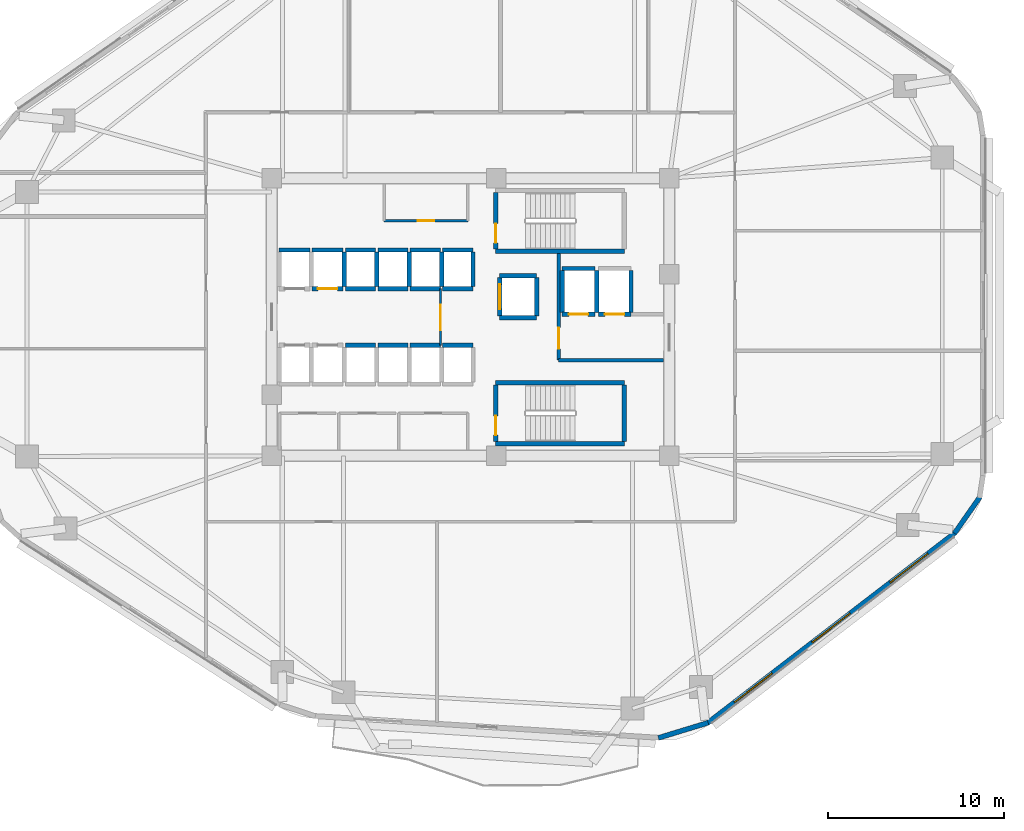
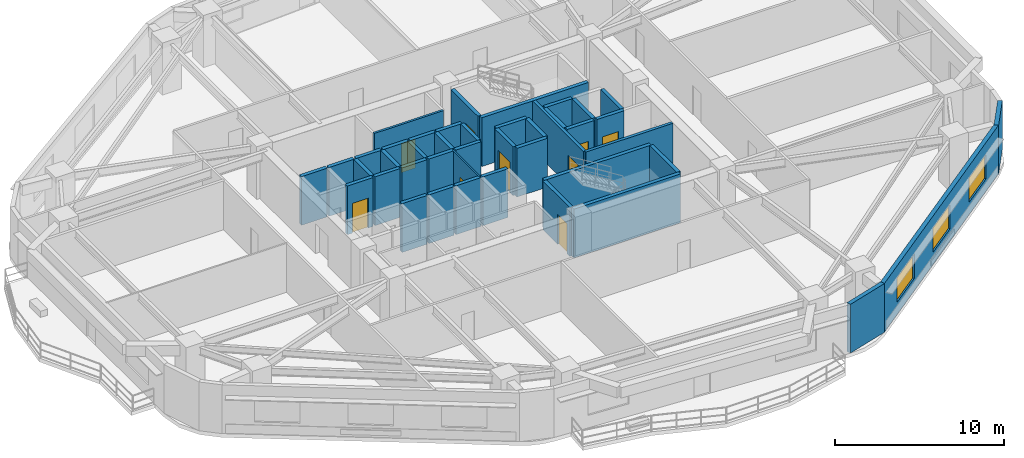
# One storey, part 4 of 9: 43 walls, 9 doors, 3 windows, 12 openings.
"""IFC4 building model written with IfcOpenShell, lengths in metres."""

from ifc_helpers import new_model, si_unit, direction, frame, frame_2d, origin, place, context, subcontext, project, spatial, rectangle, extrude, material, layer, layer_set, type_object, element, fill, save


model = new_model("IFC4")

# Units and contexts
model_context = context("Model", 3, precision=1e-05, world=origin(), true_north=direction((0.0, 1.0)))
body_context = subcontext(model_context, "Body", "Model", "MODEL_VIEW")
ifc_project = project(units=[si_unit("LENGTHUNIT", "METRE"), si_unit("AREAUNIT", "SQUARE_METRE"), si_unit("VOLUMEUNIT", "CUBIC_METRE"), si_unit("PLANEANGLEUNIT", "RADIAN"), si_unit("MASSUNIT", "GRAM", prefix="KILO")], contexts=[model_context])

# Site, building, storey
site_placement = place(None, origin())
site = spatial("IfcSite", under=ifc_project, at=site_placement, CompositionType="ELEMENT")
building_placement = place(site_placement, origin())
building = spatial("IfcBuilding", under=site, at=building_placement, Name="Zulverin Broadcast Headquarters", CompositionType="ELEMENT")
storey_placement = place(building_placement, frame((0.0, 0.0, 51.60009765625)))
storey = spatial("IfcBuildingStorey", under=building, at=storey_placement, Name="L12", CompositionType="ELEMENT", Elevation=51.60009765625)

# Wall, openings, windows
ifc_material_1 = material(Name="Insulated pale-metal clad concrete spandrel C40/50", Category="concrete")
ifc_layer_1 = layer(ifc_material_1, 0.280029296875, Name="Insulated pale-metal clad concrete spandrel C40/50", Category="concrete")
ifc_layer_set_1 = layer_set([ifc_layer_1], Name="Insulated pale-metal clad concrete spandrel C40/50")
wall_type_1 = type_object("IfcWallType", Name="WL-EXT-280", PredefinedType="STANDARD", material=ifc_layer_set_1)
wall_1_placement = place(storey_placement, frame((50.4287109375, 2.171630859375, 0.0), z_axis=(0.0, 0.0, 1.0), x_axis=(0.792937466367, 0.609303023488, 0.0)))
wall_1 = element("IfcWall", 1, at=wall_1_placement, inside=storey, type_object=wall_type_1, Name="L12 Pale-Metal Clad Spandrel Wall 2", PredefinedType="STANDARD", context=body_context, shape_type="SweptSolid", body=[
    extrude(rectangle(XDim=17.712890625, YDim=0.280029296875, at=frame_2d((8.8564453125, 0.0))), origin(), (0.0, 0.0, 1.0), 3.52490234375),
])
opening_1_placement = place(wall_1_placement, frame((1.935546875, 0.0, 0.89990234375)))
opening_1 = element("IfcOpeningElement", 2, at=opening_1_placement, cuts=wall_1, Name="Opening W-L12-E21", PredefinedType="OPENING", context=body_context, shape_type="SweptSolid", body=[
    extrude(rectangle(XDim=2.699951171875, YDim=1.75, at=frame_2d((1.35009765625, 0.875))), frame((0.0, 0.14990234375, 0.0), z_axis=(0.0, -1.0, 0.0), x_axis=(1.0, 0.0, 0.0)), (0.0, 0.0, 1.0), 0.300048828125),
])
opening_2_placement = place(wall_1_placement, frame((7.50634765625, 0.0, 0.89990234375)))
opening_2 = element("IfcOpeningElement", 3, at=opening_2_placement, cuts=wall_1, Name="Opening W-L12-E22", PredefinedType="OPENING", context=body_context, shape_type="SweptSolid", body=[
    extrude(rectangle(XDim=2.699951171875, YDim=1.75, at=frame_2d((1.35009765625, 0.875))), frame((0.0, 0.14990234375, 0.0), z_axis=(0.0, -1.0, 0.0), x_axis=(1.0, 0.0, 0.0)), (0.0, 0.0, 1.0), 0.300048828125),
])
opening_3_placement = place(wall_1_placement, frame((13.077392578125, 0.0, 0.89990234375)))
opening_3 = element("IfcOpeningElement", 4, at=opening_3_placement, cuts=wall_1, Name="Opening W-L12-E23", PredefinedType="OPENING", context=body_context, shape_type="SweptSolid", body=[
    extrude(rectangle(XDim=2.699951171875, YDim=1.75, at=frame_2d((1.35009765625, 0.875))), frame((0.0, 0.14990234375, 0.0), z_axis=(0.0, -1.0, 0.0), x_axis=(1.0, 0.0, 0.0)), (0.0, 0.0, 1.0), 0.300048828125),
])
ifc_material_2 = material(Name="Pale anodized aluminium frame with solar-control low-E double glazing", Category="aluminium")
window_type = type_object("IfcWindowType", Name="WIN-TWR-2700", PartitioningType="SINGLE_PANEL", PredefinedType="WINDOW", material=ifc_material_2)
window_1_placement = place(opening_1_placement, origin())
window_1 = element("IfcWindow", 5, at=window_1_placement, inside=storey, type_object=window_type, Name="L12 Ribbon Glazing Window 2 1", OverallHeight=1.75, OverallWidth=2.699951171875, PartitioningType="SINGLE_PANEL", PredefinedType="WINDOW", context=body_context, shape_type="SweptSolid", body=[
    extrude(rectangle(XDim=2.699951171875, YDim=1.75, at=frame_2d((1.35009765625, 0.875))), frame((0.0, 0.030029296875, 0.0), z_axis=(0.0, -1.0, 0.0), x_axis=(1.0, 0.0, 0.0)), (0.0, 0.0, 1.0), 0.06005859375),
])
fill(opening_1, window_1)
window_2_placement = place(opening_2_placement, origin())
window_2 = element("IfcWindow", 6, at=window_2_placement, inside=storey, type_object=window_type, Name="L12 Ribbon Glazing Window 2 2", OverallHeight=1.75, OverallWidth=2.699951171875, PartitioningType="SINGLE_PANEL", PredefinedType="WINDOW", context=body_context, shape_type="SweptSolid", body=[
    extrude(rectangle(XDim=2.699951171875, YDim=1.75, at=frame_2d((1.35009765625, 0.875))), frame((0.0, 0.030029296875, 0.0), z_axis=(0.0, -1.0, 0.0), x_axis=(1.0, 0.0, 0.0)), (0.0, 0.0, 1.0), 0.06005859375),
])
fill(opening_2, window_2)
window_3_placement = place(opening_3_placement, origin())
window_3 = element("IfcWindow", 7, at=window_3_placement, inside=storey, type_object=window_type, Name="L12 Ribbon Glazing Window 2 3", OverallHeight=1.75, OverallWidth=2.699951171875, PartitioningType="SINGLE_PANEL", PredefinedType="WINDOW", context=body_context, shape_type="SweptSolid", body=[
    extrude(rectangle(XDim=2.699951171875, YDim=1.75, at=frame_2d((1.35009765625, 0.875))), frame((0.0, 0.030029296875, 0.0), z_axis=(0.0, -1.0, 0.0), x_axis=(1.0, 0.0, 0.0)), (0.0, 0.0, 1.0), 0.06005859375),
])
fill(opening_3, window_3)

# Walls
wall_2_placement = place(storey_placement, frame((47.649658203125, 1.3330078125, 0.0), z_axis=(0.0, 0.0, 1.0), x_axis=(0.956461287977, 0.291859220516, 0.0)))
element("IfcWall", 8, at=wall_2_placement, inside=storey, type_object=wall_type_1, Name="L12 Wind-Shaped Corner Spandrel Wall 1-1", PredefinedType="STANDARD", context=body_context, shape_type="SweptSolid", body=[
    extrude(rectangle(XDim=2.951904296875, YDim=0.280029296875, at=frame_2d((1.47607421875, 0.0))), origin(), (0.0, 0.0, 1.0), 3.52490234375),
])
wall_3_placement = place(storey_placement, frame((64.4443359375, 12.933349609375, 0.0), z_axis=(0.0, 0.0, 1.0), x_axis=(0.573176686443, 0.819431806875, 0.0)))
element("IfcWall", 9, at=wall_3_placement, inside=storey, type_object=wall_type_1, Name="L12 Wind-Shaped Corner Spandrel Wall 2-1", PredefinedType="STANDARD", context=body_context, shape_type="SweptSolid", body=[
    extrude(rectangle(XDim=2.524169921875, YDim=0.280029296875, at=frame_2d((1.26220703125, 0.0))), origin(), (0.0, 0.0, 1.0), 3.52490234375),
])

# Wall, opening, door
ifc_material_3 = material(Name="Concrete C40/50", Category="concrete")
ifc_layer_2 = layer(ifc_material_3, 0.199951171875, Name="Concrete C40/50", Category="concrete")
ifc_layer_set_2 = layer_set([ifc_layer_2], Name="Concrete C40/50")
wall_type_2 = type_object("IfcWallType", Name="WL-FFL-200", PredefinedType="SOLIDWALL", material=ifc_layer_set_2)
wall_4_placement = place(storey_placement, frame((42.0, 22.75, 0.0), z_axis=(0.0, 0.0, 1.0), x_axis=(0.0, 1.0, 0.0)))
wall_4 = element("IfcWall", 10, at=wall_4_placement, inside=storey, type_object=wall_type_2, Name="L12 Firefighting Lift Lobby West Wall", PredefinedType="SOLIDWALL", context=body_context, shape_type="SweptSolid", body=[
    extrude(rectangle(XDim=6.050048828125, YDim=0.199951171875, at=frame_2d((3.02490234375, 0.0))), origin(), (0.0, 0.0, 1.0), 3.52490234375),
])
opening_4_placement = place(wall_4_placement, frame((0.64990234375, 0.0, 0.0)))
opening_4 = element("IfcOpeningElement", 11, at=opening_4_placement, cuts=wall_4, Name="Opening D-L12-FFLW", PredefinedType="OPENING", context=body_context, shape_type="SweptSolid", body=[
    extrude(rectangle(XDim=1.199951171875, YDim=2.14990234375, at=frame_2d((0.60009765625, 1.074951171875))), frame((0.0, 0.10986328125, 0.0), z_axis=(0.0, -1.0, 0.0), x_axis=(1.0, 0.0, 0.0)), (0.0, 0.0, 1.0), 0.219970703125),
])
ifc_material_4 = material(Name="Fire-rated steel leaf and frame", Category="steel")
door_type_1 = type_object("IfcDoorType", Name="DR-FFL-1200", OperationType="SINGLE_SWING_RIGHT", PredefinedType="DOOR", material=ifc_material_4)
door_1_placement = place(opening_4_placement, origin())
door_1 = element("IfcDoor", 12, at=door_1_placement, inside=storey, type_object=door_type_1, Name="L12 Firefighting Lift Lobby Door", OperationType="SINGLE_SWING_RIGHT", OverallHeight=2.14990234375, OverallWidth=1.199951171875, PredefinedType="DOOR", context=body_context, shape_type="SweptSolid", body=[
    extrude(rectangle(XDim=1.199951171875, YDim=2.14990234375, at=frame_2d((0.60009765625, 1.074951171875))), frame((0.0, 0.02490234375, 0.0), z_axis=(0.0, -1.0, 0.0), x_axis=(1.0, 0.0, 0.0)), (0.0, 0.0, 1.0), 0.050048828125),
])
fill(opening_4, door_1)

# Wall
wall_5_placement = place(storey_placement, frame((42.0, 22.75, 0.0), z_axis=(0.0, 0.0, 1.0), x_axis=(1.0, 0.0, 0.0)))
element("IfcWall", 13, at=wall_5_placement, inside=storey, type_object=wall_type_2, Name="L12 Firefighting Lift Lobby South Wall", PredefinedType="SOLIDWALL", context=body_context, shape_type="SweptSolid", body=[
    extrude(rectangle(XDim=5.949951171875, YDim=0.199951171875, at=frame_2d((2.97509765625, 0.0))), origin(), (0.0, 0.0, 1.0), 3.52490234375),
])

# Wall, opening, door
ifc_material_5 = material(Name="Fire-rated acoustic laminated glass screen", Category="glass")
ifc_layer_3 = layer(ifc_material_5, 0.10009765625, Name="Fire-rated acoustic laminated glass screen", Category="glass")
ifc_layer_set_3 = layer_set([ifc_layer_3], Name="Fire-rated acoustic laminated glass screen")
wall_type_3 = type_object("IfcWallType", Name="WL-GLAZ-100", PredefinedType="PARTITIONING", material=ifc_layer_set_3)
wall_6_placement = place(storey_placement, frame((35.300048828125, 23.60009765625, 0.0), z_axis=(0.0, 0.0, 1.0), x_axis=(0.0, 1.0, 0.0)))
wall_6 = element("IfcWall", 14, at=wall_6_placement, inside=storey, type_object=wall_type_3, Name="L12 Central Core Smoke Vestibule Screen", PredefinedType="PARTITIONING", context=body_context, shape_type="SweptSolid", body=[
    extrude(rectangle(XDim=3.199951171875, YDim=0.10009765625, at=frame_2d((1.60009765625, 0.0))), origin(), (0.0, 0.0, 1.0), 3.52490234375),
])
opening_5_placement = place(wall_6_placement, frame((0.85009765625, 0.0, 0.0)))
opening_5 = element("IfcOpeningElement", 15, at=opening_5_placement, cuts=wall_6, Name="Opening D-L12-CL2", PredefinedType="OPENING", context=body_context, shape_type="SweptSolid", body=[
    extrude(rectangle(XDim=1.449951171875, YDim=2.1201171875, at=frame_2d((0.72509765625, 1.06005859375))), frame((0.0, 0.06005859375, 0.0), z_axis=(0.0, -1.0, 0.0), x_axis=(1.0, 0.0, 0.0)), (0.0, 0.0, 1.0), 0.1201171875),
])
ifc_material_6 = material(Name="Fire-rated acoustic glazed double leaf", Category="glass")
door_type_2 = type_object("IfcDoorType", Name="DR-GLZ-1450", OperationType="DOUBLE_DOOR_SINGLE_SWING", PredefinedType="DOOR", material=ifc_material_6)
door_2_placement = place(opening_5_placement, origin())
door_2 = element("IfcDoor", 16, at=door_2_placement, inside=storey, type_object=door_type_2, Name="L12 Central Core Smoke Vestibule Door", OperationType="DOUBLE_DOOR_SINGLE_SWING", OverallHeight=2.1201171875, OverallWidth=1.449951171875, PredefinedType="DOOR", context=body_context, shape_type="SweptSolid", body=[
    extrude(rectangle(XDim=1.449951171875, YDim=2.1201171875, at=frame_2d((0.72509765625, 1.06005859375))), frame((0.0, 0.02490234375, 0.0), z_axis=(0.0, -1.0, 0.0), x_axis=(1.0, 0.0, 0.0)), (0.0, 0.0, 1.0), 0.050048828125),
])
fill(opening_5, door_2)

ifc_material_7 = material(Name="Fire-rated gypsum stud partition", Category="gypsum")
ifc_layer_4 = layer(ifc_material_7, 0.14990234375, Name="Fire-rated gypsum stud partition", Category="gypsum")
ifc_layer_set_4 = layer_set([ifc_layer_4], Name="Fire-rated gypsum stud partition")
wall_type_4 = type_object("IfcWallType", Name="WL-PART-150", PredefinedType="PARTITIONING", material=ifc_layer_set_4)
wall_7_placement = place(storey_placement, frame((32.10009765625, 30.64990234375, 0.0), z_axis=(0.0, 0.0, 1.0), x_axis=(1.0, 0.0, 0.0)))
wall_7 = element("IfcWall", 17, at=wall_7_placement, inside=storey, type_object=wall_type_4, Name="L12 Core Accessible WC & Electrical Riser Front Wall", PredefinedType="PARTITIONING", context=body_context, shape_type="SweptSolid", body=[
    extrude(rectangle(XDim=4.75, YDim=0.14990234375, at=frame_2d((2.375, 0.0))), origin(), (0.0, 0.0, 1.0), 3.52490234375),
])
opening_6_placement = place(wall_7_placement, frame((1.89990234375, 0.0, 0.0)))
opening_6 = element("IfcOpeningElement", 18, at=opening_6_placement, cuts=wall_7, Name="Opening D-L12-NC1", PredefinedType="OPENING", context=body_context, shape_type="SweptSolid", body=[
    extrude(rectangle(XDim=0.949951171875, YDim=2.10009765625, at=frame_2d((0.47509765625, 1.050048828125))), frame((0.0, 0.0849609375, 0.0), z_axis=(0.0, -1.0, 0.0), x_axis=(1.0, 0.0, 0.0)), (0.0, 0.0, 1.0), 0.169921875),
])
ifc_material_8 = material(Name="Fire-rated moisture-resistant laminate leaf", Category="wood")
door_type_3 = type_object("IfcDoorType", Name="DR-WC-950", OperationType="SINGLE_SWING_LEFT", PredefinedType="DOOR", material=ifc_material_8)
door_3_placement = place(opening_6_placement, origin())
door_3 = element("IfcDoor", 19, at=door_3_placement, inside=storey, type_object=door_type_3, Name="L12 Accessible WC & Electrical Riser Door", OperationType="SINGLE_SWING_LEFT", OverallHeight=2.10009765625, OverallWidth=0.949951171875, PredefinedType="DOOR", context=body_context, shape_type="SweptSolid", body=[
    extrude(rectangle(XDim=0.949951171875, YDim=2.10009765625, at=frame_2d((0.47509765625, 1.050048828125))), frame((0.0, 0.02490234375, 0.0), z_axis=(0.0, -1.0, 0.0), x_axis=(1.0, 0.0, 0.0)), (0.0, 0.0, 1.0), 0.050048828125),
])
fill(opening_6, door_3)

# Wall
ifc_material_9 = material(Name="Concrete C50/60", Category="concrete")
ifc_layer_5 = layer(ifc_material_9, 0.25, Name="Concrete C50/60", Category="concrete")
ifc_layer_set_5 = layer_set([ifc_layer_5], Name="Concrete C50/60")
wall_type_5 = type_object("IfcWallType", Name="WL-SHAFT-250", PredefinedType="SHEAR", material=ifc_layer_set_5)
wall_8_placement = place(storey_placement, frame((38.425048828125, 28.925048828125, 0.0), z_axis=(0.0, 0.0, 1.0), x_axis=(1.0, 0.0, 0.0)))
element("IfcWall", 20, at=wall_8_placement, inside=storey, type_object=wall_type_5, Name="L12 ST-1 Enclosure Wall S", PredefinedType="SHEAR", context=body_context, shape_type="SweptSolid", body=[
    extrude(rectangle(XDim=7.300048828125, YDim=0.25, at=frame_2d((3.64990234375, 0.0))), origin(), (0.0, 0.0, 1.0), 3.52490234375),
])

# Wall, opening, door
wall_9_placement = place(storey_placement, frame((38.425048828125, 29.050048828125, 0.0), z_axis=(0.0, 0.0, 1.0), x_axis=(0.0, 1.0, 0.0)))
wall_9 = element("IfcWall", 21, at=wall_9_placement, inside=storey, type_object=wall_type_5, Name="L12 ST-1 Enclosure Wall W", PredefinedType="SHEAR", context=body_context, shape_type="SweptSolid", body=[
    extrude(rectangle(XDim=3.199951171875, YDim=0.25, at=frame_2d((1.60009765625, 0.0))), origin(), (0.0, 0.0, 1.0), 3.52490234375),
])
opening_7_placement = place(wall_9_placement, frame((0.35009765625, 0.0, 0.0)))
opening_7 = element("IfcOpeningElement", 22, at=opening_7_placement, cuts=wall_9, Name="Opening D-L12-ST-1", PredefinedType="OPENING", context=body_context, shape_type="SweptSolid", body=[
    extrude(rectangle(XDim=1.10009765625, YDim=2.14990234375, at=frame_2d((0.550048828125, 1.074951171875))), frame((0.0, 0.135009765625, 0.0), z_axis=(0.0, -1.0, 0.0), x_axis=(1.0, 0.0, 0.0)), (0.0, 0.0, 1.0), 0.27001953125),
])
door_type_4 = type_object("IfcDoorType", Name="DR-STAIR-1100", OperationType="SINGLE_SWING_LEFT", PredefinedType="DOOR", material=ifc_material_4)
door_4_placement = place(opening_7_placement, origin())
door_4 = element("IfcDoor", 23, at=door_4_placement, inside=storey, type_object=door_type_4, Name="L12 Exit Stair ST-1 Fire Door", OperationType="SINGLE_SWING_LEFT", OverallHeight=2.14990234375, OverallWidth=1.10009765625, PredefinedType="DOOR", context=body_context, shape_type="SweptSolid", body=[
    extrude(rectangle(XDim=1.10009765625, YDim=2.14990234375, at=frame_2d((0.550048828125, 1.074951171875))), frame((0.0, 0.02490234375, 0.0), z_axis=(0.0, -1.0, 0.0), x_axis=(1.0, 0.0, 0.0)), (0.0, 0.0, 1.0), 0.050048828125),
])
fill(opening_7, door_4)

# Walls
for number, where, z_axis, x_axis, name in (
    (24, (38.425048828125, 18.02490234375, 0.0), (0.0, 0.0, 1.0), (1.0, 0.0, 0.0), "L12 ST-2 Enclosure Wall S"),
    (25, (38.425048828125, 21.47509765625, 0.0), (0.0, 0.0, 1.0), (1.0, 0.0, 0.0), "L12 ST-2 Enclosure Wall N"),
):
    element("IfcWall", number, at=place(storey_placement, frame(where, z_axis=z_axis, x_axis=x_axis)), inside=storey, type_object=wall_type_5, Name=name, PredefinedType="SHEAR", context=body_context, shape_type="SweptSolid", body=[
        extrude(rectangle(XDim=7.300048828125, YDim=0.25, at=frame_2d((3.64990234375, 0.0))), origin(), (0.0, 0.0, 1.0), 3.52490234375),
    ])

# Wall, opening, door
wall_10_placement = place(storey_placement, frame((38.425048828125, 18.14990234375, 0.0), z_axis=(0.0, 0.0, 1.0), x_axis=(0.0, 1.0, 0.0)))
wall_10 = element("IfcWall", 26, at=wall_10_placement, inside=storey, type_object=wall_type_5, Name="L12 ST-2 Enclosure Wall W", PredefinedType="SHEAR", context=body_context, shape_type="SweptSolid", body=[
    extrude(rectangle(XDim=3.2001953125, YDim=0.25, at=frame_2d((1.60009765625, 0.0))), origin(), (0.0, 0.0, 1.0), 3.52490234375),
])
opening_8_placement = place(wall_10_placement, frame((0.35009765625, 0.0, 0.0)))
opening_8 = element("IfcOpeningElement", 27, at=opening_8_placement, cuts=wall_10, Name="Opening D-L12-ST-2", PredefinedType="OPENING", context=body_context, shape_type="SweptSolid", body=[
    extrude(rectangle(XDim=1.10009765625, YDim=2.14990234375, at=frame_2d((0.550048828125, 1.074951171875))), frame((0.0, 0.135009765625, 0.0), z_axis=(0.0, -1.0, 0.0), x_axis=(1.0, 0.0, 0.0)), (0.0, 0.0, 1.0), 0.27001953125),
])
door_5_placement = place(opening_8_placement, origin())
door_5 = element("IfcDoor", 28, at=door_5_placement, inside=storey, type_object=door_type_4, Name="L12 Exit Stair ST-2 Fire Door", OperationType="SINGLE_SWING_RIGHT", OverallHeight=2.14990234375, OverallWidth=1.10009765625, PredefinedType="DOOR", context=body_context, shape_type="SweptSolid", body=[
    extrude(rectangle(XDim=1.10009765625, YDim=2.14990234375, at=frame_2d((0.550048828125, 1.074951171875))), frame((0.0, 0.02490234375, 0.0), z_axis=(0.0, -1.0, 0.0), x_axis=(1.0, 0.0, 0.0)), (0.0, 0.0, 1.0), 0.050048828125),
])
fill(opening_8, door_5)

# Walls
wall_11_placement = place(storey_placement, frame((45.72509765625, 18.14990234375, 0.0), z_axis=(0.0, 0.0, 1.0), x_axis=(0.0, 1.0, 0.0)))
element("IfcWall", 29, at=wall_11_placement, inside=storey, type_object=wall_type_5, Name="L12 ST-2 Enclosure Wall E", PredefinedType="SHEAR", context=body_context, shape_type="SweptSolid", body=[
    extrude(rectangle(XDim=3.2001953125, YDim=0.25, at=frame_2d((1.60009765625, 0.0))), origin(), (0.0, 0.0, 1.0), 3.52490234375),
])
wall_12_placement = place(storey_placement, frame((26.14990234375, 29.0, 0.0), z_axis=(0.0, 0.0, 1.0), x_axis=(1.0, 0.0, 0.0)))
element("IfcWall", 30, at=wall_12_placement, inside=storey, type_object=wall_type_5, Name="L12 Lift PL-L1 Shaft Wall N", PredefinedType="SHEAR", context=body_context, shape_type="SweptSolid", body=[
    extrude(rectangle(XDim=1.75, YDim=0.25, at=frame_2d((0.875, 0.0))), origin(), (0.0, 0.0, 1.0), 3.52490234375),
])

# Wall, opening, door
wall_13_placement = place(storey_placement, frame((28.02001953125, 26.800048828125, 0.0), z_axis=(0.0, 0.0, 1.0), x_axis=(1.0, 0.0, 0.0)))
wall_13 = element("IfcWall", 31, at=wall_13_placement, inside=storey, type_object=wall_type_5, Name="L12 Lift PL-L2 Shaft Wall S", PredefinedType="SHEAR", context=body_context, shape_type="SweptSolid", body=[
    extrude(rectangle(XDim=1.75, YDim=0.25, at=frame_2d((0.875, 0.0))), origin(), (0.0, 0.0, 1.0), 3.52490234375),
])
opening_9_placement = place(wall_13_placement, frame((0.324951171875, 0.0, 0.0)))
opening_9 = element("IfcOpeningElement", 32, at=opening_9_placement, cuts=wall_13, Name="Opening LD-PL-L2-L12", PredefinedType="OPENING", context=body_context, shape_type="SweptSolid", body=[
    extrude(rectangle(XDim=1.10009765625, YDim=2.14990234375, at=frame_2d((0.550048828125, 1.074951171875))), frame((0.0, 0.135009765625, 0.0), z_axis=(0.0, -1.0, 0.0), x_axis=(1.0, 0.0, 0.0)), (0.0, 0.0, 1.0), 0.27001953125),
])
ifc_material_10 = material(Name="Brushed stainless steel landing", Category="steel")
door_type_5 = type_object("IfcDoorType", Name="LD-PASS-1100", OperationType="DOUBLE_DOOR_SLIDING", PredefinedType="DOOR", material=ifc_material_10)
door_6_placement = place(opening_9_placement, origin())
door_6 = element("IfcDoor", 33, at=door_6_placement, inside=storey, type_object=door_type_5, Name="L12 Lift PL-L2 Sliding Landing Door", OperationType="DOUBLE_DOOR_SLIDING", OverallHeight=2.14990234375, OverallWidth=1.10009765625, PredefinedType="DOOR", context=body_context, shape_type="SweptSolid", body=[
    extrude(rectangle(XDim=1.10009765625, YDim=2.14990234375, at=frame_2d((0.550048828125, 1.074951171875))), frame((0.0, 0.02490234375, 0.0), z_axis=(0.0, -1.0, 0.0), x_axis=(1.0, 0.0, 0.0)), (0.0, 0.0, 1.0), 0.050048828125),
])
fill(opening_9, door_6)

# Walls
wall_14_placement = place(storey_placement, frame((28.02001953125, 29.0, 0.0), z_axis=(0.0, 0.0, 1.0), x_axis=(1.0, 0.0, 0.0)))
element("IfcWall", 34, at=wall_14_placement, inside=storey, type_object=wall_type_5, Name="L12 Lift PL-L2 Shaft Wall N", PredefinedType="SHEAR", context=body_context, shape_type="SweptSolid", body=[
    extrude(rectangle(XDim=1.75, YDim=0.25, at=frame_2d((0.875, 0.0))), origin(), (0.0, 0.0, 1.0), 3.52490234375),
])
wall_15_placement = place(storey_placement, frame((29.8349609375, 26.919921875, 0.0), z_axis=(0.0, 0.0, 1.0), x_axis=(0.0, 1.0, 0.0)))
element("IfcWall", 35, at=wall_15_placement, inside=storey, type_object=wall_type_5, Name="L12 Lift PL-L2 Shaft Wall E", PredefinedType="SHEAR", context=body_context, shape_type="SweptSolid", body=[
    extrude(rectangle(XDim=1.9599609375, YDim=0.25, at=frame_2d((0.97998046875, 0.0))), origin(), (0.0, 0.0, 1.0), 3.52490234375),
])
wall_16_placement = place(storey_placement, frame((29.89990234375, 23.60009765625, 0.0), z_axis=(0.0, 0.0, 1.0), x_axis=(1.0, 0.0, 0.0)))
element("IfcWall", 36, at=wall_16_placement, inside=storey, type_object=wall_type_5, Name="L12 Lift PL-M1 Shaft Wall N", PredefinedType="SHEAR", context=body_context, shape_type="SweptSolid", body=[
    extrude(rectangle(XDim=1.72021484375, YDim=0.25, at=frame_2d((0.860107421875, 0.0))), origin(), (0.0, 0.0, 1.0), 3.52490234375),
])
for number, where, z_axis, x_axis, name in (
    (37, (31.739990234375, 23.60009765625, 0.0), (0.0, 0.0, 1.0), (1.0, 0.0, 0.0), "L12 Lift PL-M2 Shaft Wall N"),
    (38, (33.580078125, 23.60009765625, 0.0), (0.0, 0.0, 1.0), (1.0, 0.0, 0.0), "L12 Lift PL-M3 Shaft Wall N"),
    (39, (35.419921875, 23.60009765625, 0.0), (0.0, 0.0, 1.0), (1.0, 0.0, 0.0), "L12 Lift PL-M4 Shaft Wall N"),
):
    element("IfcWall", number, at=place(storey_placement, frame(where, z_axis=z_axis, x_axis=x_axis)), inside=storey, type_object=wall_type_5, Name=name, PredefinedType="SHEAR", context=body_context, shape_type="SweptSolid", body=[
        extrude(rectangle(XDim=1.719970703125, YDim=0.25, at=frame_2d((0.85986328125, 0.0))), origin(), (0.0, 0.0, 1.0), 3.52490234375),
    ])
for number, where, z_axis, x_axis, name in (
    (40, (29.89990234375, 26.800048828125, 0.0), (0.0, 0.0, 1.0), (1.0, 0.0, 0.0), "L12 Lift PL-H1 Shaft Wall S"),
    (41, (29.89990234375, 29.0, 0.0), (0.0, 0.0, 1.0), (1.0, 0.0, 0.0), "L12 Lift PL-H1 Shaft Wall N"),
):
    element("IfcWall", number, at=place(storey_placement, frame(where, z_axis=z_axis, x_axis=x_axis)), inside=storey, type_object=wall_type_5, Name=name, PredefinedType="SHEAR", context=body_context, shape_type="SweptSolid", body=[
        extrude(rectangle(XDim=1.72021484375, YDim=0.25, at=frame_2d((0.860107421875, 0.0))), origin(), (0.0, 0.0, 1.0), 3.52490234375),
    ])
wall_17_placement = place(storey_placement, frame((31.679931640625, 26.919921875, 0.0), z_axis=(0.0, 0.0, 1.0), x_axis=(0.0, 1.0, 0.0)))
element("IfcWall", 42, at=wall_17_placement, inside=storey, type_object=wall_type_5, Name="L12 Lift PL-H1 Shaft Wall E", PredefinedType="SHEAR", context=body_context, shape_type="SweptSolid", body=[
    extrude(rectangle(XDim=1.9599609375, YDim=0.25, at=frame_2d((0.97998046875, 0.0))), origin(), (0.0, 0.0, 1.0), 3.52490234375),
])
for number, where, z_axis, x_axis, name in (
    (43, (31.739990234375, 26.800048828125, 0.0), (0.0, 0.0, 1.0), (1.0, 0.0, 0.0), "L12 Lift PL-H2 Shaft Wall S"),
    (44, (31.739990234375, 29.0, 0.0), (0.0, 0.0, 1.0), (1.0, 0.0, 0.0), "L12 Lift PL-H2 Shaft Wall N"),
):
    element("IfcWall", number, at=place(storey_placement, frame(where, z_axis=z_axis, x_axis=x_axis)), inside=storey, type_object=wall_type_5, Name=name, PredefinedType="SHEAR", context=body_context, shape_type="SweptSolid", body=[
        extrude(rectangle(XDim=1.719970703125, YDim=0.25, at=frame_2d((0.85986328125, 0.0))), origin(), (0.0, 0.0, 1.0), 3.52490234375),
    ])
wall_18_placement = place(storey_placement, frame((33.52001953125, 26.919921875, 0.0), z_axis=(0.0, 0.0, 1.0), x_axis=(0.0, 1.0, 0.0)))
element("IfcWall", 45, at=wall_18_placement, inside=storey, type_object=wall_type_5, Name="L12 Lift PL-H2 Shaft Wall E", PredefinedType="SHEAR", context=body_context, shape_type="SweptSolid", body=[
    extrude(rectangle(XDim=1.9599609375, YDim=0.25, at=frame_2d((0.97998046875, 0.0))), origin(), (0.0, 0.0, 1.0), 3.52490234375),
])
for number, where, z_axis, x_axis, name in (
    (46, (33.580078125, 26.800048828125, 0.0), (0.0, 0.0, 1.0), (1.0, 0.0, 0.0), "L12 Lift PL-H3 Shaft Wall S"),
    (47, (33.580078125, 29.0, 0.0), (0.0, 0.0, 1.0), (1.0, 0.0, 0.0), "L12 Lift PL-H3 Shaft Wall N"),
):
    element("IfcWall", number, at=place(storey_placement, frame(where, z_axis=z_axis, x_axis=x_axis)), inside=storey, type_object=wall_type_5, Name=name, PredefinedType="SHEAR", context=body_context, shape_type="SweptSolid", body=[
        extrude(rectangle(XDim=1.719970703125, YDim=0.25, at=frame_2d((0.85986328125, 0.0))), origin(), (0.0, 0.0, 1.0), 3.52490234375),
    ])
wall_19_placement = place(storey_placement, frame((35.360107421875, 26.919921875, 0.0), z_axis=(0.0, 0.0, 1.0), x_axis=(0.0, 1.0, 0.0)))
element("IfcWall", 48, at=wall_19_placement, inside=storey, type_object=wall_type_5, Name="L12 Lift PL-H3 Shaft Wall E", PredefinedType="SHEAR", context=body_context, shape_type="SweptSolid", body=[
    extrude(rectangle(XDim=1.9599609375, YDim=0.25, at=frame_2d((0.97998046875, 0.0))), origin(), (0.0, 0.0, 1.0), 3.52490234375),
])
for number, where, z_axis, x_axis, name in (
    (49, (35.419921875, 26.800048828125, 0.0), (0.0, 0.0, 1.0), (1.0, 0.0, 0.0), "L12 Lift PL-H4 Shaft Wall S"),
    (50, (35.419921875, 29.0, 0.0), (0.0, 0.0, 1.0), (1.0, 0.0, 0.0), "L12 Lift PL-H4 Shaft Wall N"),
):
    element("IfcWall", number, at=place(storey_placement, frame(where, z_axis=z_axis, x_axis=x_axis)), inside=storey, type_object=wall_type_5, Name=name, PredefinedType="SHEAR", context=body_context, shape_type="SweptSolid", body=[
        extrude(rectangle(XDim=1.719970703125, YDim=0.25, at=frame_2d((0.85986328125, 0.0))), origin(), (0.0, 0.0, 1.0), 3.52490234375),
    ])
wall_20_placement = place(storey_placement, frame((37.139892578125, 26.919921875, 0.0), z_axis=(0.0, 0.0, 1.0), x_axis=(0.0, 1.0, 0.0)))
element("IfcWall", 51, at=wall_20_placement, inside=storey, type_object=wall_type_5, Name="L12 Lift PL-H4 Shaft Wall E", PredefinedType="SHEAR", context=body_context, shape_type="SweptSolid", body=[
    extrude(rectangle(XDim=1.9599609375, YDim=0.25, at=frame_2d((0.97998046875, 0.0))), origin(), (0.0, 0.0, 1.0), 3.52490234375),
])

# Wall, opening, door
wall_21_placement = place(storey_placement, frame((42.199951171875, 25.35009765625, 0.0), z_axis=(0.0, 0.0, 1.0), x_axis=(1.0, 0.0, 0.0)))
wall_21 = element("IfcWall", 52, at=wall_21_placement, inside=storey, type_object=wall_type_5, Name="L12 Lift FFL-1 Shaft Wall S", PredefinedType="SHEAR", context=body_context, shape_type="SweptSolid", body=[
    extrude(rectangle(XDim=1.85009765625, YDim=0.25, at=frame_2d((0.925048828125, 0.0))), origin(), (0.0, 0.0, 1.0), 3.52490234375),
])
opening_10_placement = place(wall_21_placement, frame((0.375, 0.0, 0.0)))
opening_10 = element("IfcOpeningElement", 53, at=opening_10_placement, cuts=wall_21, Name="Opening LD-FFL-1-L12", PredefinedType="OPENING", context=body_context, shape_type="SweptSolid", body=[
    extrude(rectangle(XDim=1.10009765625, YDim=2.14990234375, at=frame_2d((0.550048828125, 1.074951171875))), frame((0.0, 0.135009765625, 0.0), z_axis=(0.0, -1.0, 0.0), x_axis=(1.0, 0.0, 0.0)), (0.0, 0.0, 1.0), 0.27001953125),
])
ifc_material_11 = material(Name="Fire-rated stainless landing door", Category="steel")
door_type_6 = type_object("IfcDoorType", Name="LD-FFL-1100", OperationType="DOUBLE_DOOR_SLIDING", PredefinedType="DOOR", material=ifc_material_11)
door_7_placement = place(opening_10_placement, origin())
door_7 = element("IfcDoor", 54, at=door_7_placement, inside=storey, type_object=door_type_6, Name="L12 Lift FFL-1 Sliding Landing Door", OperationType="DOUBLE_DOOR_SLIDING", OverallHeight=2.14990234375, OverallWidth=1.10009765625, PredefinedType="DOOR", context=body_context, shape_type="SweptSolid", body=[
    extrude(rectangle(XDim=1.10009765625, YDim=2.14990234375, at=frame_2d((0.550048828125, 1.074951171875))), frame((0.0, 0.02490234375, 0.0), z_axis=(0.0, -1.0, 0.0), x_axis=(1.0, 0.0, 0.0)), (0.0, 0.0, 1.0), 0.050048828125),
])
fill(opening_10, door_7)

# Walls
wall_22_placement = place(storey_placement, frame((42.199951171875, 27.949951171875, 0.0), z_axis=(0.0, 0.0, 1.0), x_axis=(1.0, 0.0, 0.0)))
element("IfcWall", 55, at=wall_22_placement, inside=storey, type_object=wall_type_5, Name="L12 Lift FFL-1 Shaft Wall N", PredefinedType="SHEAR", context=body_context, shape_type="SweptSolid", body=[
    extrude(rectangle(XDim=1.85009765625, YDim=0.25, at=frame_2d((0.925048828125, 0.0))), origin(), (0.0, 0.0, 1.0), 3.52490234375),
])
for number, where, z_axis, x_axis, name in (
    (56, (42.199951171875, 25.469970703125, 0.0), (0.0, 0.0, 1.0), (0.0, 1.0, 0.0), "L12 Lift FFL-1 Shaft Wall W"),
    (57, (44.14990234375, 25.469970703125, 0.0), (0.0, 0.0, 1.0), (0.0, 1.0, 0.0), "L12 Lift FFL-1 Shaft Wall E"),
):
    element("IfcWall", number, at=place(storey_placement, frame(where, z_axis=z_axis, x_axis=x_axis)), inside=storey, type_object=wall_type_5, Name=name, PredefinedType="SHEAR", context=body_context, shape_type="SweptSolid", body=[
        extrude(rectangle(XDim=2.360107421875, YDim=0.25, at=frame_2d((1.18017578125, 0.0))), origin(), (0.0, 0.0, 1.0), 3.52490234375),
    ])

# Wall, opening, door
wall_23_placement = place(storey_placement, frame((44.25, 25.35009765625, 0.0), z_axis=(0.0, 0.0, 1.0), x_axis=(1.0, 0.0, 0.0)))
wall_23 = element("IfcWall", 58, at=wall_23_placement, inside=storey, type_object=wall_type_5, Name="L12 Lift FFL-2 Shaft Wall S", PredefinedType="SHEAR", context=body_context, shape_type="SweptSolid", body=[
    extrude(rectangle(XDim=1.85009765625, YDim=0.25, at=frame_2d((0.925048828125, 0.0))), origin(), (0.0, 0.0, 1.0), 3.52490234375),
])
opening_11_placement = place(wall_23_placement, frame((0.375, 0.0, 0.0)))
opening_11 = element("IfcOpeningElement", 59, at=opening_11_placement, cuts=wall_23, Name="Opening LD-FFL-2-L12", PredefinedType="OPENING", context=body_context, shape_type="SweptSolid", body=[
    extrude(rectangle(XDim=1.10009765625, YDim=2.14990234375, at=frame_2d((0.550048828125, 1.074951171875))), frame((0.0, 0.135009765625, 0.0), z_axis=(0.0, -1.0, 0.0), x_axis=(1.0, 0.0, 0.0)), (0.0, 0.0, 1.0), 0.27001953125),
])
door_8_placement = place(opening_11_placement, origin())
door_8 = element("IfcDoor", 60, at=door_8_placement, inside=storey, type_object=door_type_6, Name="L12 Lift FFL-2 Sliding Landing Door", OperationType="DOUBLE_DOOR_SLIDING", OverallHeight=2.14990234375, OverallWidth=1.10009765625, PredefinedType="DOOR", context=body_context, shape_type="SweptSolid", body=[
    extrude(rectangle(XDim=1.10009765625, YDim=2.14990234375, at=frame_2d((0.550048828125, 1.074951171875))), frame((0.0, 0.02490234375, 0.0), z_axis=(0.0, -1.0, 0.0), x_axis=(1.0, 0.0, 0.0)), (0.0, 0.0, 1.0), 0.050048828125),
])
fill(opening_11, door_8)

# Walls
wall_24_placement = place(storey_placement, frame((46.10009765625, 25.469970703125, 0.0), z_axis=(0.0, 0.0, 1.0), x_axis=(0.0, 1.0, 0.0)))
element("IfcWall", 61, at=wall_24_placement, inside=storey, type_object=wall_type_5, Name="L12 Lift FFL-2 Shaft Wall E", PredefinedType="SHEAR", context=body_context, shape_type="SweptSolid", body=[
    extrude(rectangle(XDim=2.360107421875, YDim=0.25, at=frame_2d((1.18017578125, 0.0))), origin(), (0.0, 0.0, 1.0), 3.52490234375),
])
for number, where, z_axis, x_axis, name in (
    (62, (38.64990234375, 25.14990234375, 0.0), (0.0, 0.0, 1.0), (1.0, 0.0, 0.0), "L12 Lift SVL-1 Shaft Wall S"),
    (63, (38.64990234375, 27.550048828125, 0.0), (0.0, 0.0, 1.0), (1.0, 0.0, 0.0), "L12 Lift SVL-1 Shaft Wall N"),
):
    element("IfcWall", number, at=place(storey_placement, frame(where, z_axis=z_axis, x_axis=x_axis)), inside=storey, type_object=wall_type_5, Name=name, PredefinedType="SHEAR", context=body_context, shape_type="SweptSolid", body=[
        extrude(rectangle(XDim=2.10009765625, YDim=0.25, at=frame_2d((1.050048828125, 0.0))), origin(), (0.0, 0.0, 1.0), 3.52490234375),
    ])

# Wall, opening, door
wall_25_placement = place(storey_placement, frame((38.64990234375, 25.27001953125, 0.0), z_axis=(0.0, 0.0, 1.0), x_axis=(0.0, 1.0, 0.0)))
wall_25 = element("IfcWall", 64, at=wall_25_placement, inside=storey, type_object=wall_type_5, Name="L12 Lift SVL-1 Shaft Wall W", PredefinedType="SHEAR", context=body_context, shape_type="SweptSolid", body=[
    extrude(rectangle(XDim=2.159912109375, YDim=0.25, at=frame_2d((1.080078125, 0.0))), origin(), (0.0, 0.0, 1.0), 3.52490234375),
])
opening_12_placement = place(wall_25_placement, frame((0.3798828125, 0.0, 0.0)))
opening_12 = element("IfcOpeningElement", 65, at=opening_12_placement, cuts=wall_25, Name="Opening LD-SVL-1-L12", PredefinedType="OPENING", context=body_context, shape_type="SweptSolid", body=[
    extrude(rectangle(XDim=1.39990234375, YDim=2.199951171875, at=frame_2d((0.699951171875, 1.10009765625))), frame((0.0, 0.135009765625, 0.0), z_axis=(0.0, -1.0, 0.0), x_axis=(1.0, 0.0, 0.0)), (0.0, 0.0, 1.0), 0.27001953125),
])
ifc_material_12 = material(Name="Heavy-duty stainless landing door", Category="steel")
door_type_7 = type_object("IfcDoorType", Name="LD-GOODS-1400", OperationType="DOUBLE_DOOR_SLIDING", PredefinedType="DOOR", material=ifc_material_12)
door_9_placement = place(opening_12_placement, origin())
door_9 = element("IfcDoor", 66, at=door_9_placement, inside=storey, type_object=door_type_7, Name="L12 Lift SVL-1 Sliding Landing Door", OperationType="DOUBLE_DOOR_SLIDING", OverallHeight=2.199951171875, OverallWidth=1.39990234375, PredefinedType="DOOR", context=body_context, shape_type="SweptSolid", body=[
    extrude(rectangle(XDim=1.39990234375, YDim=2.199951171875, at=frame_2d((0.699951171875, 1.10009765625))), frame((0.0, 0.02490234375, 0.0), z_axis=(0.0, -1.0, 0.0), x_axis=(1.0, 0.0, 0.0)), (0.0, 0.0, 1.0), 0.050048828125),
])
fill(opening_12, door_9)

# Wall
wall_26_placement = place(storey_placement, frame((40.75, 25.27001953125, 0.0), z_axis=(0.0, 0.0, 1.0), x_axis=(0.0, 1.0, 0.0)))
element("IfcWall", 67, at=wall_26_placement, inside=storey, type_object=wall_type_5, Name="L12 Lift SVL-1 Shaft Wall E", PredefinedType="SHEAR", context=body_context, shape_type="SweptSolid", body=[
    extrude(rectangle(XDim=2.159912109375, YDim=0.25, at=frame_2d((1.080078125, 0.0))), origin(), (0.0, 0.0, 1.0), 3.52490234375),
])

save(model, "model.ifc")
